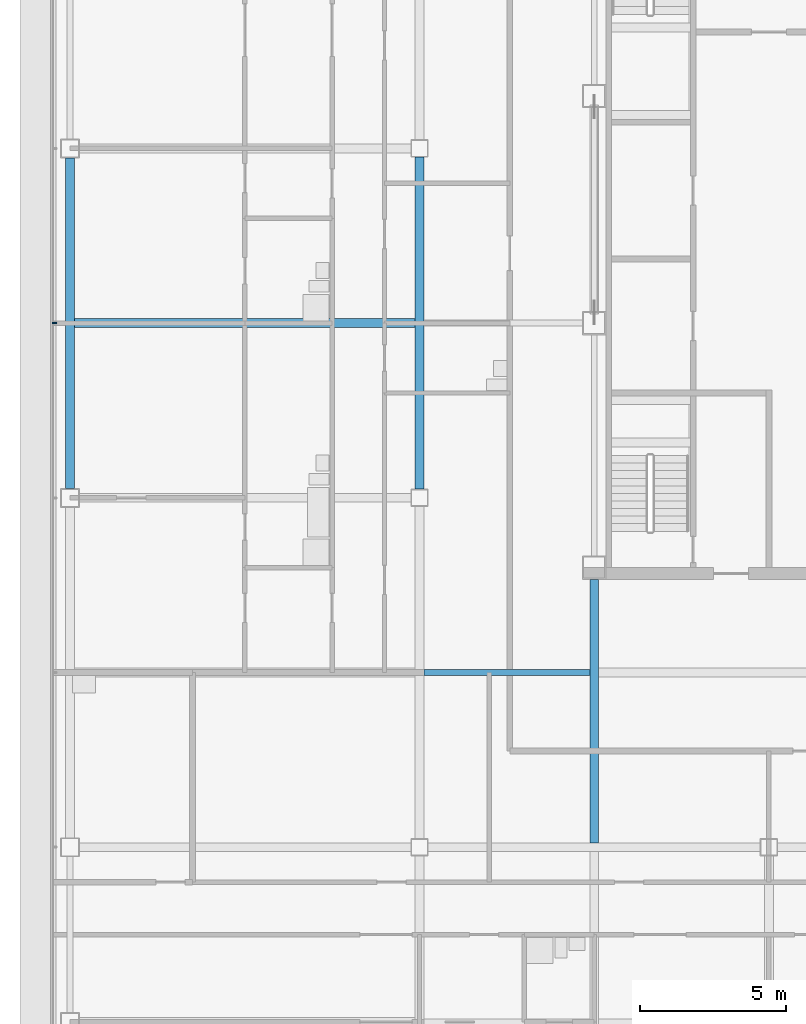
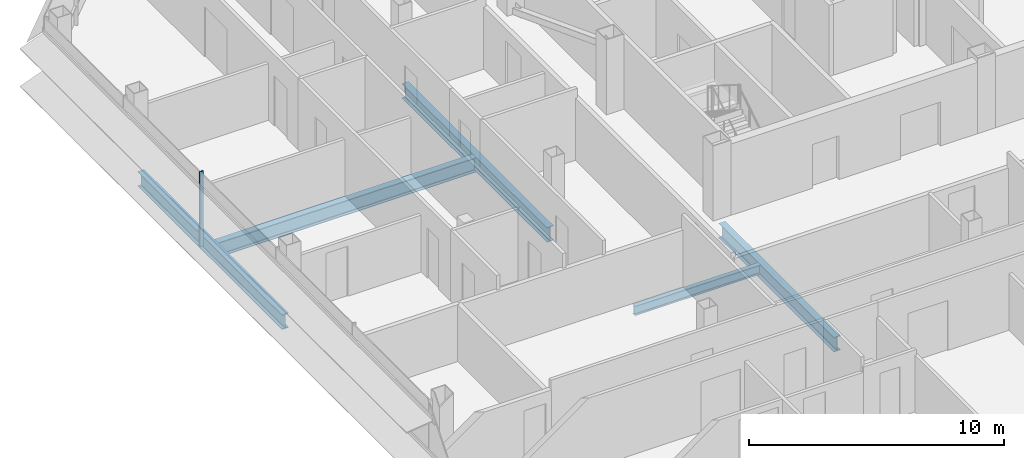
# One storey, part 6 of 27: 5 beams, 1 member, 1 element without a shape of its own.
"""IFC4 building model written with IfcOpenShell, lengths in metres."""

from ifc_helpers import new_model, si_unit, direction, frame, origin, origin_2d, place, context, subcontext, project, spatial, rectangle, i_section, extrude, material, material_profile, profile_set, type_object, element, aggregate, save


model = new_model("IFC4")

# Units and contexts
model_context = context("Model", 3, precision=1e-05, world=origin(), true_north=direction((0.0, 1.0)))
body_context = subcontext(model_context, "Body", "Model", "MODEL_VIEW")
ifc_project = project(units=[si_unit("LENGTHUNIT", "METRE"), si_unit("AREAUNIT", "SQUARE_METRE"), si_unit("VOLUMEUNIT", "CUBIC_METRE"), si_unit("PLANEANGLEUNIT", "RADIAN"), si_unit("MASSUNIT", "GRAM", prefix="KILO")], contexts=[model_context])

# Site, building, storey
site_placement = place(None, origin())
site = spatial("IfcSite", under=ifc_project, at=site_placement, CompositionType="ELEMENT")
building_placement = place(site_placement, origin())
building = spatial("IfcBuilding", under=site, at=building_placement, Name="Sorahane Residences", CompositionType="ELEMENT")
storey_placement = place(building_placement, frame((0.0, 0.0, 202.800048828125)))
storey = spatial("IfcBuildingStorey", under=building, at=storey_placement, Name="L47", CompositionType="ELEMENT", Elevation=202.800048828125)

# Curtain wall, member
ifc_material_1 = material(Name="Dark low-e glass and black anodised aluminium", Category="aluminium")
curtain_wall_type = type_object("IfcCurtainWallType", Name="Curtain wall CW-1 Typical unitised wall", PredefinedType="NOTDEFINED", material=ifc_material_1)
curtain_wall_placement = place(storey_placement, origin())
curtain_wall = element("IfcCurtainWall", 1, at=curtain_wall_placement, inside=storey, type_object=curtain_wall_type, Name="CW-1 curtain wall L47 W1", PredefinedType="NOTDEFINED")
ifc_material_2 = material(Name="Black anodised aluminium", Category="aluminium")
ifc_material_profile_1 = material_profile(ifc_material_2, rectangle(XDim=0.159912109375, YDim=0.050048828125, at=origin_2d()), Name="Curtain wall mullion CW-1 black anodised aluminium 50x160")
ifc_profile_set_1 = profile_set([ifc_material_profile_1], Name="Black anodised aluminium")
member_type = type_object("IfcMemberType", Name="Curtain wall mullion CW-1 black anodised aluminium 50x160", PredefinedType="MULLION", material=ifc_profile_set_1)
member_placement = place(storey_placement, frame((-12.5400390625, 30.0, -0.179931640625), z_axis=(0.0, 0.0, 1.0), x_axis=(-1.0, 0.0, 0.0)))
member = element("IfcMember", 2, at=member_placement, type_object=member_type, Name="CW-1 mullion L47 W1.3", PredefinedType="MULLION", context=body_context, shape_type="SweptSolid", body=[
    extrude(rectangle(XDim=0.159912109375, YDim=0.050048828125, at=origin_2d()), origin(), (0.0, 0.0, 1.0), 3.599853515625),
])
aggregate(curtain_wall, [member])

# Beams
ifc_material_3 = material(Name="Steel Q355B", Category="steel")
ifc_material_profile_2 = material_profile(ifc_material_3, i_section(OverallWidth=0.199951171875, OverallDepth=0.449951171875, WebThickness=0.009033203125, FlangeThickness=0.013916015625, FilletRadius=0.02001953125, at=origin_2d()), Name="HN 450x200x9x14")
ifc_profile_set_2 = profile_set([ifc_material_profile_2], Name="Steel Q355B")
beam_type_1 = type_object("IfcBeamType", Name="Steel floor beam HN 450x200x9x14 Q355B", PredefinedType="BEAM", material=ifc_profile_set_2)
beam_1_placement = place(storey_placement, frame((0.14990234375, 18.0, -0.405029296875), z_axis=(1.0, 0.0, 0.0), x_axis=(0.0, 1.0, 0.0)))
element("IfcBeam", 3, at=beam_1_placement, inside=storey, type_object=beam_type_1, Name="Beam L47 079", PredefinedType="BEAM", context=body_context, shape_type="SweptSolid", body=[
    extrude(i_section(OverallWidth=0.199951171875, OverallDepth=0.449951171875, WebThickness=0.009033203125, FlangeThickness=0.013916015625, FilletRadius=0.02001953125, at=origin_2d()), origin(), (0.0, 0.0, 1.0), 5.7001953125),
])
ifc_material_4 = material(Name="Steel Q355B", Category="steel")
ifc_material_profile_3 = material_profile(ifc_material_4, i_section(OverallWidth=0.300048828125, OverallDepth=0.699951171875, WebThickness=0.012939453125, FlangeThickness=0.02392578125, FilletRadius=0.028076171875, at=origin_2d()), Name="HN 700x300x13x24")
ifc_profile_set_3 = profile_set([ifc_material_profile_3], Name="Steel Q355B")
beam_type_2 = type_object("IfcBeamType", Name="Steel floor beam HN 700x300x13x24 Q355B", PredefinedType="BEAM", material=ifc_profile_set_3)
beam_2_placement = place(storey_placement, frame((-12.0, 24.324951171875, -0.530029296875), z_axis=(0.0, 1.0, 0.0), x_axis=(-1.0, 0.0, 0.0)))
element("IfcBeam", 4, at=beam_2_placement, inside=storey, type_object=beam_type_2, Name="Beam L47 022", PredefinedType="BEAM", context=body_context, shape_type="SweptSolid", body=[
    extrude(i_section(OverallWidth=0.300048828125, OverallDepth=0.699951171875, WebThickness=0.012939453125, FlangeThickness=0.02392578125, FilletRadius=0.028076171875, at=origin_2d()), origin(), (0.0, 0.0, 1.0), 11.35009765625),
])
beam_3_placement = place(storey_placement, frame((0.0, 24.300048828125, -0.530029296875), z_axis=(0.0, 1.0, 0.0), x_axis=(-1.0, 0.0, 0.0)))
element("IfcBeam", 5, at=beam_3_placement, inside=storey, type_object=beam_type_2, Name="Beam L47 026", PredefinedType="BEAM", context=body_context, shape_type="SweptSolid", body=[
    extrude(i_section(OverallWidth=0.300048828125, OverallDepth=0.699951171875, WebThickness=0.012939453125, FlangeThickness=0.02392578125, FilletRadius=0.028076171875, at=origin_2d()), origin(), (0.0, 0.0, 1.0), 11.39990234375),
])
beam_4_placement = place(storey_placement, frame((6.0, 12.14990234375, -0.530029296875), z_axis=(0.0, 1.0, 0.0), x_axis=(-1.0, 0.0, 0.0)))
element("IfcBeam", 6, at=beam_4_placement, inside=storey, type_object=beam_type_2, Name="Beam L47 029", PredefinedType="BEAM", context=body_context, shape_type="SweptSolid", body=[
    extrude(i_section(OverallWidth=0.300048828125, OverallDepth=0.699951171875, WebThickness=0.012939453125, FlangeThickness=0.02392578125, FilletRadius=0.028076171875, at=origin_2d()), origin(), (0.0, 0.0, 1.0), 9.050048828125),
])
beam_5_placement = place(storey_placement, frame((-11.85009765625, 30.0, -0.530029296875), z_axis=(1.0, 0.0, 0.0), x_axis=(0.0, 1.0, 0.0)))
element("IfcBeam", 7, at=beam_5_placement, inside=storey, type_object=beam_type_2, Name="Beam L47 085", PredefinedType="BEAM", context=body_context, shape_type="SweptSolid", body=[
    extrude(i_section(OverallWidth=0.300048828125, OverallDepth=0.699951171875, WebThickness=0.012939453125, FlangeThickness=0.02392578125, FilletRadius=0.028076171875, at=origin_2d()), origin(), (0.0, 0.0, 1.0), 11.7001953125),
])

save(model, "model.ifc")
